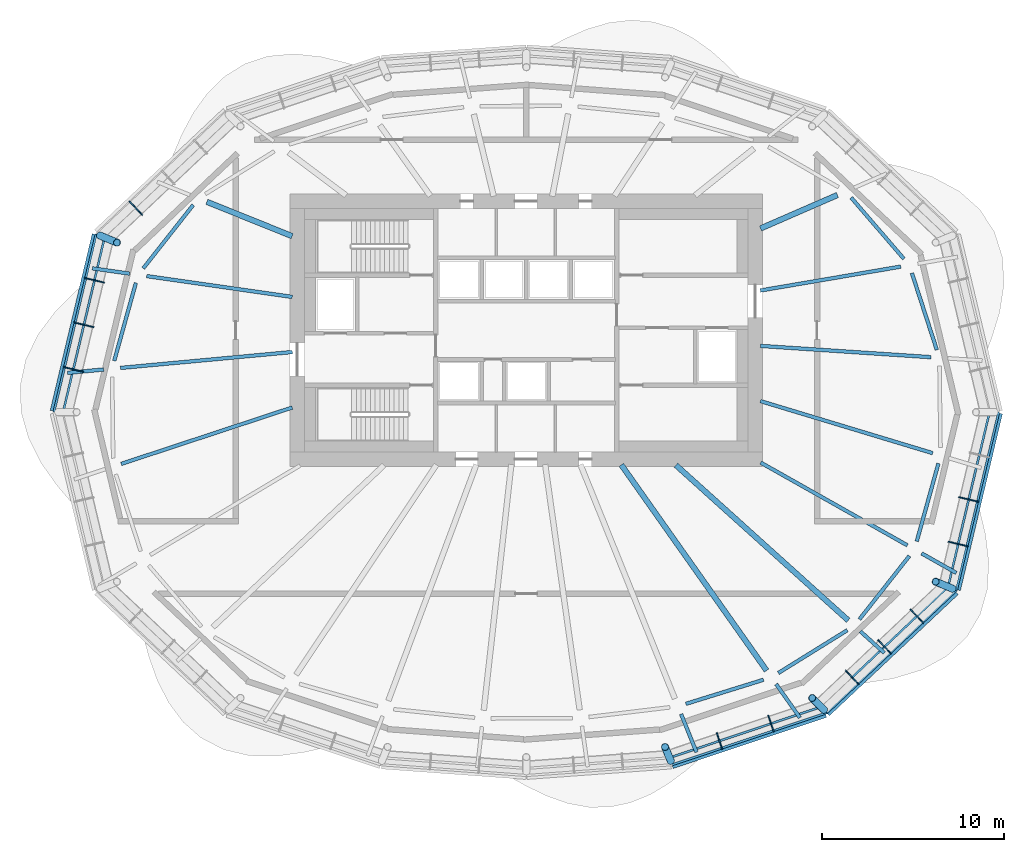
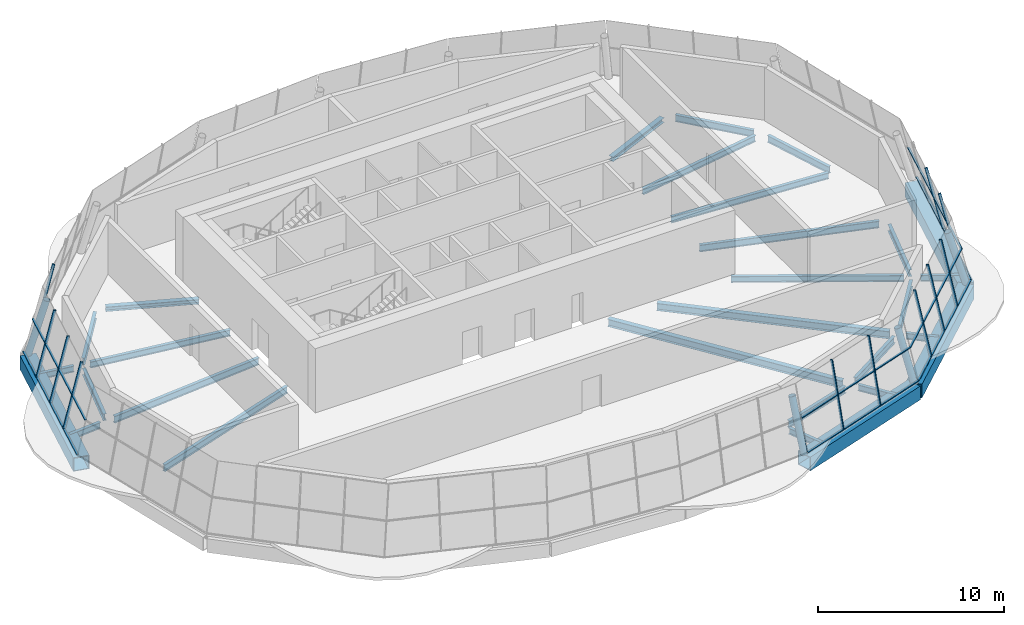
# One storey, part 2 of 9: 29 beams, 23 members, 5 elements without a shape of their own.
"""IFC4 building model written with IfcOpenShell, lengths in metres."""

from ifc_helpers import new_model, si_unit, direction, frame, origin, origin_2d, place, context, subcontext, project, spatial, rectangle, hollow_rectangle, hollow_circle, i_section, extrude, material, material_profile, profile_set, type_object, element, aggregate, save


model = new_model("IFC4")

# Units and contexts
model_context = context("Model", 3, precision=1e-05, world=origin(), true_north=direction((0.0, 1.0)))
body_context = subcontext(model_context, "Body", "Model", "MODEL_VIEW")
ifc_project = project(units=[si_unit("LENGTHUNIT", "METRE"), si_unit("AREAUNIT", "SQUARE_METRE"), si_unit("VOLUMEUNIT", "CUBIC_METRE"), si_unit("PLANEANGLEUNIT", "RADIAN"), si_unit("MASSUNIT", "GRAM", prefix="KILO")], contexts=[model_context])

# Site, building, storey
site_placement = place(None, origin())
site = spatial("IfcSite", under=ifc_project, at=site_placement, CompositionType="ELEMENT")
building_placement = place(site_placement, origin())
building = spatial("IfcBuilding", under=site, at=building_placement, Name="Rubra Terraces Tower", CompositionType="ELEMENT")
storey_placement = place(building_placement, frame((0.0, 0.0, 307.800048828125)))
storey = spatial("IfcBuildingStorey", under=building, at=storey_placement, Name="L76", CompositionType="ELEMENT", Elevation=307.800048828125)

# Beams
ifc_material_1 = material(Name="Steel Q355B", Category="steel")
ifc_material_profile_1 = material_profile(ifc_material_1, i_section(OverallWidth=0.199951171875, OverallDepth=0.39990234375, WebThickness=0.008056640625, FlangeThickness=0.012939453125, at=origin_2d()), Name="HN 400x200x8x13")
ifc_profile_set_1 = profile_set([ifc_material_profile_1], Name="Steel Q355B")
beam_type_1 = type_object("IfcBeamType", Name="CANTILEVER BEAM HN 400x200x8x13", PredefinedType="BEAM", material=ifc_profile_set_1)
beam_1_placement = place(storey_placement, frame((-21.8369140625, 7.62109375, -0.400146484375), z_axis=(-0.989923516417, 0.141603077804, 0.0), x_axis=(-0.141603077804, -0.989923516417, 0.0)))
element("IfcBeam", 1, at=beam_1_placement, inside=storey, type_object=beam_type_1, Name="beam-L76-cant-11", PredefinedType="BEAM", context=body_context, shape_type="SweptSolid", body=[
    extrude(i_section(OverallWidth=0.199951171875, OverallDepth=0.39990234375, WebThickness=0.008056640625, FlangeThickness=0.012939453125, at=origin_2d()), origin(), (0.0, 0.0, 1.0), 2.06884765625),
])
beam_2_placement = place(storey_placement, frame((-23.260986328125, 2.345947265625, -0.400146484375), z_axis=(-0.995768225568, -0.091900168385, 0.0), x_axis=(0.091900168385, -0.995768225568, 0.0)))
element("IfcBeam", 2, at=beam_2_placement, inside=storey, type_object=beam_type_1, Name="beam-L76-cant-12", PredefinedType="BEAM", context=body_context, shape_type="SweptSolid", body=[
    extrude(i_section(OverallWidth=0.199951171875, OverallDepth=0.39990234375, WebThickness=0.008056640625, FlangeThickness=0.012939453125, at=origin_2d()), origin(), (0.0, 0.0, 1.0), 2.00048828125),
])
beam_3_placement = place(storey_placement, frame((8.51806640625, -16.615966796875, -0.400146484375), z_axis=(0.374381060266, -0.92727494397, 0.0), x_axis=(0.92727494397, 0.374381060266, 0.0)))
element("IfcBeam", 3, at=beam_3_placement, inside=storey, type_object=beam_type_1, Name="beam-L76-cant-20", PredefinedType="BEAM", context=body_context, shape_type="SweptSolid", body=[
    extrude(i_section(OverallWidth=0.199951171875, OverallDepth=0.39990234375, WebThickness=0.008056640625, FlangeThickness=0.012939453125, at=origin_2d()), origin(), (0.0, 0.0, 1.0), 2.264892578125),
])
beam_4_placement = place(storey_placement, frame((13.7509765625, -14.969970703125, -0.400146484375), z_axis=(0.577233338788, -0.81657925065, 0.0), x_axis=(0.81657925065, 0.577233338788, 0.0)))
element("IfcBeam", 4, at=beam_4_placement, inside=storey, type_object=beam_type_1, Name="beam-L76-cant-21", PredefinedType="BEAM", context=body_context, shape_type="SweptSolid", body=[
    extrude(i_section(OverallWidth=0.199951171875, OverallDepth=0.39990234375, WebThickness=0.008056640625, FlangeThickness=0.012939453125, at=origin_2d()), origin(), (0.0, 0.0, 1.0), 2.264404296875),
])
beam_5_placement = place(storey_placement, frame((18.386962890625, -12.06591796875, -0.400146484375), z_axis=(0.742841352095, -0.669467494071, 0.0), x_axis=(0.669467494071, 0.742841352095, 0.0)))
element("IfcBeam", 5, at=beam_5_placement, inside=storey, type_object=beam_type_1, Name="beam-L76-cant-22", PredefinedType="BEAM", context=body_context, shape_type="SweptSolid", body=[
    extrude(i_section(OverallWidth=0.199951171875, OverallDepth=0.39990234375, WebThickness=0.008056640625, FlangeThickness=0.012939453125, at=origin_2d()), origin(), (0.0, 0.0, 1.0), 1.770263671875),
])
beam_6_placement = place(storey_placement, frame((21.759033203125, -7.77490234375, -0.400146484375), z_axis=(0.870760315927, -0.491707710135, 0.0), x_axis=(0.491707710135, 0.870760315927, 0.0)))
element("IfcBeam", 6, at=beam_6_placement, inside=storey, type_object=beam_type_1, Name="beam-L76-cant-23", PredefinedType="BEAM", context=body_context, shape_type="SweptSolid", body=[
    extrude(i_section(OverallWidth=0.199951171875, OverallDepth=0.39990234375, WebThickness=0.008056640625, FlangeThickness=0.012939453125, at=origin_2d()), origin(), (0.0, 0.0, 1.0), 2.186767578125),
])

# Members
ifc_material_profile_2 = material_profile(ifc_material_1, hollow_circle(Radius=0.202880859375, WallThickness=0.01611328125, at=origin_2d()), Name="CHS 406x16")
ifc_profile_set_2 = profile_set([ifc_material_profile_2], Name="Steel Q355B")
member_type_1 = type_object("IfcMemberType", Name="CROWN POST CHS 406x16", PredefinedType="POST", material=ifc_profile_set_2)
member_1_placement = place(storey_placement, frame((-23.456787109375, 9.7158203125, -0.199951171875), z_axis=(0.254357897839, -0.10521685782, 0.96136958171), x_axis=(0.382244200362, 0.924061346064, 0.0)))
element("IfcMember", 7, at=member_1_placement, inside=storey, type_object=member_type_1, Name="CROWN POST", PredefinedType="POST", context=body_context, shape_type="SweptSolid", body=[
    extrude(hollow_circle(Radius=0.202880859375, WallThickness=0.01611328125, at=origin_2d()), origin(), (0.0, 0.0, 1.0), 3.640625),
])
member_2_placement = place(storey_placement, frame((7.94775390625, -19.188720703125, -0.199951171875), z_axis=(-0.087331454924, 0.211130243668, 0.973548785213), x_axis=(-0.924067518239, -0.382229279014, 0.0)))
element("IfcMember", 8, at=member_2_placement, inside=storey, type_object=member_type_1, Name="CROWN POST", PredefinedType="POST", context=body_context, shape_type="SweptSolid", body=[
    extrude(hollow_circle(Radius=0.202880859375, WallThickness=0.01611328125, at=origin_2d()), origin(), (0.0, 0.0, 1.0), 3.59521484375),
])
member_3_placement = place(storey_placement, frame((16.379150390625, -16.379150390625, -0.199951171875), z_axis=(-0.178839493723, 0.178839493723, 0.967487917739), x_axis=(-0.707106781187, -0.707106781187, 0.0)))
element("IfcMember", 9, at=member_3_placement, inside=storey, type_object=member_type_1, Name="CROWN POST", PredefinedType="POST", context=body_context, shape_type="SweptSolid", body=[
    extrude(hollow_circle(Radius=0.202880859375, WallThickness=0.01611328125, at=origin_2d()), origin(), (0.0, 0.0, 1.0), 3.61767578125),
])
member_4_placement = place(storey_placement, frame((23.456787109375, -9.7158203125, -0.199951171875), z_axis=(-0.254357897839, 0.10521685782, 0.96136958171), x_axis=(-0.382244200362, -0.924061346064, 0.0)))
element("IfcMember", 10, at=member_4_placement, inside=storey, type_object=member_type_1, Name="CROWN POST", PredefinedType="POST", context=body_context, shape_type="SweptSolid", body=[
    extrude(hollow_circle(Radius=0.202880859375, WallThickness=0.01611328125, at=origin_2d()), origin(), (0.0, 0.0, 1.0), 3.640625),
])

# Beams
ifc_material_profile_3 = material_profile(ifc_material_1, hollow_rectangle(XDim=0.89990234375, YDim=0.89990234375, WallThickness=0.044921875, at=origin_2d()), Name="BOX 900x900x45")
ifc_profile_set_3 = profile_set([ifc_material_profile_3], Name="Steel Q355B")
beam_type_2 = type_object("IfcBeamType", Name="CROWN RING GIRDER BOX 900x900x45", PredefinedType="BEAM", material=ifc_profile_set_3)
beam_7_placement = place(storey_placement, frame((-23.45703125, 9.716064453125, -0.650146484375), z_axis=(-0.231308749283, -0.972880394758, 0.0), x_axis=(0.972880394758, -0.231308749283, 0.0)))
element("IfcBeam", 11, at=beam_7_placement, inside=storey, type_object=beam_type_2, Name="CROWN RING GIRDER", PredefinedType="BEAM", context=body_context, shape_type="SweptSolid", body=[
    extrude(hollow_rectangle(XDim=0.89990234375, YDim=0.89990234375, WallThickness=0.044921875, at=origin_2d()), origin(), (0.0, 0.0, 1.0), 9.98681640625),
])
beam_8_placement = place(storey_placement, frame((7.947998046875, -19.18896484375, -0.650146484375), z_axis=(0.948691539337, 0.316203041084, 0.0), x_axis=(-0.316203041084, 0.948691539337, 0.0)))
element("IfcBeam", 12, at=beam_8_placement, inside=storey, type_object=beam_type_2, Name="CROWN RING GIRDER", PredefinedType="BEAM", context=body_context, shape_type="SweptSolid", body=[
    extrude(hollow_rectangle(XDim=0.89990234375, YDim=0.89990234375, WallThickness=0.044921875, at=origin_2d()), origin(), (0.0, 0.0, 1.0), 8.886962890625),
])
beam_9_placement = place(storey_placement, frame((16.37890625, -16.37890625, -0.650146484375), z_axis=(0.728144690434, 0.685423452905, 0.0), x_axis=(-0.685423452905, 0.728144690434, 0.0)))
element("IfcBeam", 13, at=beam_9_placement, inside=storey, type_object=beam_type_2, Name="CROWN RING GIRDER", PredefinedType="BEAM", context=body_context, shape_type="SweptSolid", body=[
    extrude(hollow_rectangle(XDim=0.89990234375, YDim=0.89990234375, WallThickness=0.044921875, at=origin_2d()), origin(), (0.0, 0.0, 1.0), 9.720703125),
])
beam_10_placement = place(storey_placement, frame((23.45703125, -9.716064453125, -0.650146484375), z_axis=(0.231308749283, 0.972880394758, 0.0), x_axis=(-0.972880394758, 0.231308749283, 0.0)))
element("IfcBeam", 14, at=beam_10_placement, inside=storey, type_object=beam_type_2, Name="CROWN RING GIRDER", PredefinedType="BEAM", context=body_context, shape_type="SweptSolid", body=[
    extrude(hollow_rectangle(XDim=0.89990234375, YDim=0.89990234375, WallThickness=0.044921875, at=origin_2d()), origin(), (0.0, 0.0, 1.0), 9.98681640625),
])

# Curtain wall, member
ifc_material_2 = material(Name="Aluminium and glass", Category="aluminium")
curtain_wall_type = type_object("IfcCurtainWallType", Name="Curtain wall Crown glazing", PredefinedType="NOTDEFINED", material=ifc_material_2)
curtain_wall_1_placement = place(storey_placement, origin())
curtain_wall_1 = element("IfcCurtainWall", 15, at=curtain_wall_1_placement, inside=storey, type_object=curtain_wall_type, Name="Crown glazing L76 facet 7", PredefinedType="NOTDEFINED")
ifc_material_3 = material(Name="Aluminium, anodised dark grey", Category="aluminium")
ifc_material_profile_4 = material_profile(ifc_material_3, rectangle(XDim=0.06005859375, YDim=0.159912109375, at=origin_2d()), Name="AL 60x160")
ifc_profile_set_4 = profile_set([ifc_material_profile_4], Name="Aluminium, anodised dark grey")
member_type_2 = type_object("IfcMemberType", Name="Crown glazing mullion 60 x 160", PredefinedType="MULLION", material=ifc_profile_set_4)
member_5_placement = place(storey_placement, frame((-21.810791015625, 11.564453125, 0.0), z_axis=(0.146142986341, -0.154605988659, 0.977107576377), x_axis=(0.726716925474, 0.686937049685, 0.0)))
member_5 = element("IfcMember", 16, at=member_5_placement, type_object=member_type_2, Name="Crown glazing L76 facet 7 mullion 3", PredefinedType="MULLION", context=body_context, shape_type="SweptSolid", body=[
    extrude(rectangle(XDim=0.06005859375, YDim=0.159912109375, at=origin_2d()), origin(), (0.0, 0.0, 1.0), 4.29833984375),
])
aggregate(curtain_wall_1, [member_5])

# Curtain wall, members
curtain_wall_2_placement = place(storey_placement, origin())
curtain_wall_2 = element("IfcCurtainWall", 17, at=curtain_wall_2_placement, inside=storey, type_object=curtain_wall_type, Name="Crown glazing L76 facet 8", PredefinedType="NOTDEFINED")
member_6_placement = place(storey_placement, frame((-24.24951171875, 7.372314453125, 0.0), z_axis=(0.223097402473, -0.052959464549, 0.973356483579), x_axis=(0.230964397981, 0.972962202177, 0.0)))
member_6 = element("IfcMember", 18, at=member_6_placement, type_object=member_type_2, Name="Crown glazing L76 facet 8 mullion 1", PredefinedType="MULLION", context=body_context, shape_type="SweptSolid", body=[
    extrude(rectangle(XDim=0.06005859375, YDim=0.159912109375, at=origin_2d()), origin(), (0.0, 0.0, 1.0), 4.31494140625),
])
member_7_placement = place(storey_placement, frame((-24.83154296875, 4.9208984375, 0.0), z_axis=(0.223097402473, -0.052959464549, 0.973356483579), x_axis=(0.230964397981, 0.972962202177, 0.0)))
member_7 = element("IfcMember", 19, at=member_7_placement, type_object=member_type_2, Name="Crown glazing L76 facet 8 mullion 2", PredefinedType="MULLION", context=body_context, shape_type="SweptSolid", body=[
    extrude(rectangle(XDim=0.06005859375, YDim=0.159912109375, at=origin_2d()), origin(), (0.0, 0.0, 1.0), 4.31494140625),
])
member_8_placement = place(storey_placement, frame((-25.41357421875, 2.4697265625, 0.0), z_axis=(0.223097402473, -0.052959464549, 0.973356483579), x_axis=(0.230964397981, 0.972962202177, 0.0)))
member_8 = element("IfcMember", 20, at=member_8_placement, type_object=member_type_2, Name="Crown glazing L76 facet 8 mullion 3", PredefinedType="MULLION", context=body_context, shape_type="SweptSolid", body=[
    extrude(rectangle(XDim=0.06005859375, YDim=0.159912109375, at=origin_2d()), origin(), (0.0, 0.0, 1.0), 4.31494140625),
])

curtain_wall_3_placement = place(storey_placement, origin())
curtain_wall_3 = element("IfcCurtainWall", 21, at=curtain_wall_3_placement, inside=storey, type_object=curtain_wall_type, Name="Crown glazing L76 facet 14", PredefinedType="NOTDEFINED")
member_9_placement = place(storey_placement, frame((10.762939453125, -18.487548828125, 0.0), z_axis=(-0.061046928569, 0.181543295987, 0.981486273055), x_axis=(-0.947845941516, -0.318728836399, 0.0)))
member_9 = element("IfcMember", 22, at=member_9_placement, type_object=member_type_2, Name="Crown glazing L76 facet 14 mullion 1", PredefinedType="MULLION", context=body_context, shape_type="SweptSolid", body=[
    extrude(rectangle(XDim=0.06005859375, YDim=0.159912109375, at=origin_2d()), origin(), (0.0, 0.0, 1.0), 4.279052734375),
])
member_10_placement = place(storey_placement, frame((13.5986328125, -17.5341796875, 0.0), z_axis=(-0.061047560781, 0.181488122283, 0.981496437484), x_axis=(-0.947815667903, -0.318818850882, 0.0)))
member_10 = element("IfcMember", 23, at=member_10_placement, type_object=member_type_2, Name="Crown glazing L76 facet 14 mullion 2", PredefinedType="MULLION", context=body_context, shape_type="SweptSolid", body=[
    extrude(rectangle(XDim=0.06005859375, YDim=0.159912109375, at=origin_2d()), origin(), (0.0, 0.0, 1.0), 4.279052734375),
])

curtain_wall_4_placement = place(storey_placement, origin())
curtain_wall_4 = element("IfcCurtainWall", 24, at=curtain_wall_4_placement, inside=storey, type_object=curtain_wall_type, Name="Crown glazing L76 facet 15", PredefinedType="NOTDEFINED")
member_11_placement = place(storey_placement, frame((18.246826171875, -14.93408203125, 0.0), z_axis=(-0.146142986341, 0.154605988659, 0.977107576377), x_axis=(-0.726716925474, -0.686937049685, 0.0)))
member_11 = element("IfcMember", 25, at=member_11_placement, type_object=member_type_2, Name="Crown glazing L76 facet 15 mullion 1", PredefinedType="MULLION", context=body_context, shape_type="SweptSolid", body=[
    extrude(rectangle(XDim=0.06005859375, YDim=0.159912109375, at=origin_2d()), origin(), (0.0, 0.0, 1.0), 4.29833984375),
])
member_12_placement = place(storey_placement, frame((20.02880859375, -13.249267578125, 0.0), z_axis=(-0.146142986341, 0.154605988659, 0.977107576377), x_axis=(-0.726716925474, -0.686937049685, 0.0)))
member_12 = element("IfcMember", 26, at=member_12_placement, type_object=member_type_2, Name="Crown glazing L76 facet 15 mullion 2", PredefinedType="MULLION", context=body_context, shape_type="SweptSolid", body=[
    extrude(rectangle(XDim=0.06005859375, YDim=0.159912109375, at=origin_2d()), origin(), (0.0, 0.0, 1.0), 4.29833984375),
])
member_13_placement = place(storey_placement, frame((21.810791015625, -11.564453125, 0.0), z_axis=(-0.146142986341, 0.154605988659, 0.977107576377), x_axis=(-0.726716925474, -0.686937049685, 0.0)))
member_13 = element("IfcMember", 27, at=member_13_placement, type_object=member_type_2, Name="Crown glazing L76 facet 15 mullion 3", PredefinedType="MULLION", context=body_context, shape_type="SweptSolid", body=[
    extrude(rectangle(XDim=0.06005859375, YDim=0.159912109375, at=origin_2d()), origin(), (0.0, 0.0, 1.0), 4.29833984375),
])

curtain_wall_5_placement = place(storey_placement, origin())
curtain_wall_5 = element("IfcCurtainWall", 28, at=curtain_wall_5_placement, inside=storey, type_object=curtain_wall_type, Name="Crown glazing L76 facet 16", PredefinedType="NOTDEFINED")
member_14_placement = place(storey_placement, frame((24.24951171875, -7.372314453125, 0.0), z_axis=(-0.223097402473, 0.052959464549, 0.973356483579), x_axis=(-0.230964397981, -0.972962202177, 0.0)))
member_14 = element("IfcMember", 29, at=member_14_placement, type_object=member_type_2, Name="Crown glazing L76 facet 16 mullion 1", PredefinedType="MULLION", context=body_context, shape_type="SweptSolid", body=[
    extrude(rectangle(XDim=0.06005859375, YDim=0.159912109375, at=origin_2d()), origin(), (0.0, 0.0, 1.0), 4.31494140625),
])
member_15_placement = place(storey_placement, frame((24.83154296875, -4.9208984375, 0.0), z_axis=(-0.223097402473, 0.052959464549, 0.973356483579), x_axis=(-0.230964397981, -0.972962202177, 0.0)))
member_15 = element("IfcMember", 30, at=member_15_placement, type_object=member_type_2, Name="Crown glazing L76 facet 16 mullion 2", PredefinedType="MULLION", context=body_context, shape_type="SweptSolid", body=[
    extrude(rectangle(XDim=0.06005859375, YDim=0.159912109375, at=origin_2d()), origin(), (0.0, 0.0, 1.0), 4.31494140625),
])

# Member
ifc_material_profile_5 = material_profile(ifc_material_3, rectangle(XDim=0.1201171875, YDim=0.06005859375, at=origin_2d()), Name="AL 120x60")
ifc_profile_set_5 = profile_set([ifc_material_profile_5], Name="Aluminium, anodised dark grey")
member_type_3 = type_object("IfcMemberType", Name="Crown glazing transom 120 x 60", PredefinedType="USERDEFINED", material=ifc_profile_set_5)
member_16_placement = place(storey_placement, frame((-23.672119140625, 9.804931640625, 0.0), z_axis=(-0.230998185213, -0.972954181053, 0.0), x_axis=(0.972954181053, -0.230998185213, 0.0)))
member_16 = element("IfcMember", 31, at=member_16_placement, type_object=member_type_3, Name="Crown glazing L76 facet 8 transom 1", ObjectType="TRANSOM", PredefinedType="USERDEFINED", context=body_context, shape_type="SweptSolid", body=[
    extrude(rectangle(XDim=0.1201171875, YDim=0.06005859375, at=origin_2d()), origin(), (0.0, 0.0, 1.0), 10.077392578125),
])

member_17_placement = place(storey_placement, frame((-23.208984375, 9.613525390625, 2.099853515625), z_axis=(-0.231001384979, -0.972953421361, 0.0), x_axis=(0.972953421361, -0.231001384979, 0.0)))
member_17 = element("IfcMember", 32, at=member_17_placement, type_object=member_type_3, Name="Crown glazing L76 facet 8 transom 2", ObjectType="TRANSOM", PredefinedType="USERDEFINED", context=body_context, shape_type="SweptSolid", body=[
    extrude(rectangle(XDim=0.1201171875, YDim=0.06005859375, at=origin_2d()), origin(), (0.0, 0.0, 1.0), 9.880859375),
])

aggregate(curtain_wall_2, [member_6, member_7, member_8, member_16, member_17])

member_18_placement = place(storey_placement, frame((8.037109375, -19.404052734375, 0.0), z_axis=(0.947861307541, 0.318683136777, 0.0), x_axis=(-0.318683136777, 0.947861307541, 0.0)))
member_18 = element("IfcMember", 33, at=member_18_placement, type_object=member_type_3, Name="Crown glazing L76 facet 14 transom 1", ObjectType="TRANSOM", PredefinedType="USERDEFINED", context=body_context, shape_type="SweptSolid", body=[
    extrude(rectangle(XDim=0.1201171875, YDim=0.06005859375, at=origin_2d()), origin(), (0.0, 0.0, 1.0), 8.974853515625),
])

member_19_placement = place(storey_placement, frame((7.8798828125, -19.0244140625, 2.099853515625), z_axis=(0.947870015564, 0.318657235277, 0.0), x_axis=(-0.318657235277, 0.947870015564, 0.0)))
member_19 = element("IfcMember", 34, at=member_19_placement, type_object=member_type_3, Name="Crown glazing L76 facet 14 transom 2", ObjectType="TRANSOM", PredefinedType="USERDEFINED", context=body_context, shape_type="SweptSolid", body=[
    extrude(rectangle(XDim=0.1201171875, YDim=0.06005859375, at=origin_2d()), origin(), (0.0, 0.0, 1.0), 8.79931640625),
])

aggregate(curtain_wall_3, [member_9, member_10, member_18, member_19])

member_20_placement = place(storey_placement, frame((16.5439453125, -16.5439453125, 0.0), z_axis=(0.726664500486, 0.686992506316, 0.0), x_axis=(-0.686992506316, 0.726664500486, 0.0)))
member_20 = element("IfcMember", 35, at=member_20_placement, type_object=member_type_3, Name="Crown glazing L76 facet 15 transom 1", ObjectType="TRANSOM", PredefinedType="USERDEFINED", context=body_context, shape_type="SweptSolid", body=[
    extrude(rectangle(XDim=0.1201171875, YDim=0.06005859375, at=origin_2d()), origin(), (0.0, 0.0, 1.0), 9.809326171875),
])

member_21_placement = place(storey_placement, frame((16.220458984375, -16.220458984375, 2.099853515625), z_axis=(0.726667391674, 0.686989448156, 0.0), x_axis=(-0.686989448156, 0.726667391674, 0.0)))
member_21 = element("IfcMember", 36, at=member_21_placement, type_object=member_type_3, Name="Crown glazing L76 facet 15 transom 2", ObjectType="TRANSOM", PredefinedType="USERDEFINED", context=body_context, shape_type="SweptSolid", body=[
    extrude(rectangle(XDim=0.1201171875, YDim=0.06005859375, at=origin_2d()), origin(), (0.0, 0.0, 1.0), 9.6171875),
])

aggregate(curtain_wall_4, [member_11, member_12, member_13, member_20, member_21])

member_22_placement = place(storey_placement, frame((23.672119140625, -9.804931640625, 0.0), z_axis=(0.230998185213, 0.972954181053, 0.0), x_axis=(-0.972954181053, 0.230998185213, 0.0)))
member_22 = element("IfcMember", 37, at=member_22_placement, type_object=member_type_3, Name="Crown glazing L76 facet 16 transom 1", ObjectType="TRANSOM", PredefinedType="USERDEFINED", context=body_context, shape_type="SweptSolid", body=[
    extrude(rectangle(XDim=0.1201171875, YDim=0.06005859375, at=origin_2d()), origin(), (0.0, 0.0, 1.0), 10.077392578125),
])

member_23_placement = place(storey_placement, frame((23.208984375, -9.613525390625, 2.099853515625), z_axis=(0.231001384979, 0.972953421361, 0.0), x_axis=(-0.972953421361, 0.231001384979, 0.0)))
member_23 = element("IfcMember", 38, at=member_23_placement, type_object=member_type_3, Name="Crown glazing L76 facet 16 transom 2", ObjectType="TRANSOM", PredefinedType="USERDEFINED", context=body_context, shape_type="SweptSolid", body=[
    extrude(rectangle(XDim=0.1201171875, YDim=0.06005859375, at=origin_2d()), origin(), (0.0, 0.0, 1.0), 9.880859375),
])

aggregate(curtain_wall_5, [member_14, member_15, member_22, member_23])

# Beams
ifc_material_profile_6 = material_profile(ifc_material_1, i_section(OverallWidth=0.300048828125, OverallDepth=0.48193359375, WebThickness=0.010986328125, FlangeThickness=0.014892578125, at=origin_2d()), Name="HM 482x300x11x15")
ifc_profile_set_6 = profile_set([ifc_material_profile_6], Name="Steel Q355B")
beam_type_3 = type_object("IfcBeamType", Name="FLOOR BEAM HM 482x300x11x15", PredefinedType="BEAM", material=ifc_profile_set_6)
beam_11_placement = place(storey_placement, frame((13.222900390625, -14.221923828125, -0.441162109375), z_axis=(-0.576895514811, 0.816817950948, 0.0), x_axis=(-0.816817950948, -0.576895514811, 0.0)))
element("IfcBeam", 39, at=beam_11_placement, inside=storey, type_object=beam_type_3, Name="beam-L76-floor-21", PredefinedType="BEAM", context=body_context, shape_type="SweptSolid", body=[
    extrude(i_section(OverallWidth=0.300048828125, OverallDepth=0.48193359375, WebThickness=0.010986328125, FlangeThickness=0.014892578125, at=origin_2d()), origin(), (0.0, 0.0, 1.0), 13.8583984375),
])
beam_12_placement = place(storey_placement, frame((17.715087890625, -11.4599609375, -0.441162109375), z_axis=(-0.742980094736, 0.669313513105, 0.0), x_axis=(-0.669313513105, -0.742980094736, 0.0)))
element("IfcBeam", 40, at=beam_12_placement, inside=storey, type_object=beam_type_3, Name="beam-L76-floor-22", PredefinedType="BEAM", context=body_context, shape_type="SweptSolid", body=[
    extrude(i_section(OverallWidth=0.300048828125, OverallDepth=0.48193359375, WebThickness=0.010986328125, FlangeThickness=0.014892578125, at=origin_2d()), origin(), (0.0, 0.0, 1.0), 12.759521484375),
])
ifc_material_profile_7 = material_profile(ifc_material_1, i_section(OverallWidth=0.199951171875, OverallDepth=0.39990234375, WebThickness=0.008056640625, FlangeThickness=0.012939453125, at=origin_2d()), Name="HN 400x200x8x13")
ifc_profile_set_7 = profile_set([ifc_material_profile_7], Name="Steel Q355B")
beam_type_4 = type_object("IfcBeamType", Name="FLOOR BEAM HN 400x200x8x13", PredefinedType="BEAM", material=ifc_profile_set_7)
beam_13_placement = place(storey_placement, frame((22.27294921875, 3.02392578125, -0.400146484375), z_axis=(-0.997814209988, 0.066081785285, 0.0), x_axis=(-0.066081785285, -0.997814209988, 0.0)))
element("IfcBeam", 41, at=beam_13_placement, inside=storey, type_object=beam_type_4, Name="beam-L76-floor-01", PredefinedType="BEAM", context=body_context, shape_type="SweptSolid", body=[
    extrude(i_section(OverallWidth=0.199951171875, OverallDepth=0.39990234375, WebThickness=0.008056640625, FlangeThickness=0.012939453125, at=origin_2d()), origin(), (0.0, 0.0, 1.0), 9.41357421875),
])
beam_14_placement = place(storey_placement, frame((20.610107421875, 8.010009765625, -0.400146484375), z_axis=(-0.985810425856, -0.167862456415, 0.0), x_axis=(0.167862456415, -0.985810425856, 0.0)))
element("IfcBeam", 42, at=beam_14_placement, inside=storey, type_object=beam_type_4, Name="beam-L76-floor-02", PredefinedType="BEAM", context=body_context, shape_type="SweptSolid", body=[
    extrude(i_section(OverallWidth=0.199951171875, OverallDepth=0.39990234375, WebThickness=0.008056640625, FlangeThickness=0.012939453125, at=origin_2d()), origin(), (0.0, 0.0, 1.0), 7.83935546875),
])
beam_15_placement = place(storey_placement, frame((-20.89697265625, 7.487060546875, -0.400146484375), z_axis=(0.98993441274, -0.141526882509, 0.0), x_axis=(0.141526882509, 0.98993441274, 0.0)))
element("IfcBeam", 43, at=beam_15_placement, inside=storey, type_object=beam_type_4, Name="beam-L76-floor-11", PredefinedType="BEAM", context=body_context, shape_type="SweptSolid", body=[
    extrude(i_section(OverallWidth=0.199951171875, OverallDepth=0.39990234375, WebThickness=0.008056640625, FlangeThickness=0.012939453125, at=origin_2d()), origin(), (0.0, 0.0, 1.0), 8.097412109375),
])
beam_16_placement = place(storey_placement, frame((20.97509765625, -7.3330078125, -0.400146484375), z_axis=(-0.870973270007, 0.491330400986, 0.0), x_axis=(-0.491330400986, -0.870973270007, 0.0)))
element("IfcBeam", 44, at=beam_16_placement, inside=storey, type_object=beam_type_4, Name="beam-L76-floor-23", PredefinedType="BEAM", context=body_context, shape_type="SweptSolid", body=[
    extrude(i_section(OverallWidth=0.199951171875, OverallDepth=0.39990234375, WebThickness=0.008056640625, FlangeThickness=0.012939453125, at=origin_2d()), origin(), (0.0, 0.0, 1.0), 9.277099609375),
])
ifc_material_profile_8 = material_profile(ifc_material_1, i_section(OverallWidth=0.198974609375, OverallDepth=0.446044921875, WebThickness=0.008056640625, FlangeThickness=0.011962890625, at=origin_2d()), Name="HN 446x199x8x12")
ifc_profile_set_8 = profile_set([ifc_material_profile_8], Name="Steel Q355B")
beam_type_5 = type_object("IfcBeamType", Name="FLOOR BEAM HN 446x199x8x12", PredefinedType="BEAM", material=ifc_profile_set_8)
beam_17_placement = place(storey_placement, frame((-22.343017578125, 2.431884765625, -0.423095703125), z_axis=(0.995739538303, 0.092210475874, 0.0), x_axis=(-0.092210475874, 0.995739538303, 0.0)))
element("IfcBeam", 45, at=beam_17_placement, inside=storey, type_object=beam_type_5, Name="beam-L76-floor-12", PredefinedType="BEAM", context=body_context, shape_type="SweptSolid", body=[
    extrude(i_section(OverallWidth=0.198974609375, OverallDepth=0.446044921875, WebThickness=0.008056640625, FlangeThickness=0.011962890625, at=origin_2d()), origin(), (0.0, 0.0, 1.0), 9.50244140625),
])
beam_18_placement = place(storey_placement, frame((-22.301025390625, -2.85009765625, -0.423095703125), z_axis=(0.949746725795, 0.313019419273, 0.0), x_axis=(-0.313019419273, 0.949746725795, 0.0)))
element("IfcBeam", 46, at=beam_18_placement, inside=storey, type_object=beam_type_5, Name="beam-L76-floor-13", PredefinedType="BEAM", context=body_context, shape_type="SweptSolid", body=[
    extrude(i_section(OverallWidth=0.198974609375, OverallDepth=0.446044921875, WebThickness=0.008056640625, FlangeThickness=0.011962890625, at=origin_2d()), origin(), (0.0, 0.0, 1.0), 9.913330078125),
])
beam_19_placement = place(storey_placement, frame((22.364990234375, -2.257080078125, -0.423095703125), z_axis=(-0.957268105474, 0.289201960992, 0.0), x_axis=(-0.289201960992, -0.957268105474, 0.0)))
element("IfcBeam", 47, at=beam_19_placement, inside=storey, type_object=beam_type_5, Name="beam-L76-floor-24", PredefinedType="BEAM", context=body_context, shape_type="SweptSolid", body=[
    extrude(i_section(OverallWidth=0.198974609375, OverallDepth=0.446044921875, WebThickness=0.008056640625, FlangeThickness=0.011962890625, at=origin_2d()), origin(), (0.0, 0.0, 1.0), 9.903076171875),
])
ifc_material_profile_9 = material_profile(ifc_material_1, i_section(OverallWidth=0.304931640625, OverallDepth=0.300048828125, WebThickness=0.014892578125, FlangeThickness=0.014892578125, at=origin_2d()), Name="HW 300x305x15x15")
ifc_profile_set_9 = profile_set([ifc_material_profile_9], Name="Steel Q355B")
beam_type_6 = type_object("IfcBeamType", Name="FLOOR BEAM HW 300x305x15x15", PredefinedType="BEAM", material=ifc_profile_set_9)
beam_20_placement = place(storey_placement, frame((17.12109375, 11.949951171875, -0.35009765625), z_axis=(-0.916958146743, -0.398983404569, 0.0), x_axis=(0.398983404569, -0.916958146743, 0.0)))
element("IfcBeam", 48, at=beam_20_placement, inside=storey, type_object=beam_type_6, Name="beam-L76-floor-03", PredefinedType="BEAM", context=body_context, shape_type="SweptSolid", body=[
    extrude(i_section(OverallWidth=0.304931640625, OverallDepth=0.300048828125, WebThickness=0.014892578125, FlangeThickness=0.014892578125, at=origin_2d()), origin(), (0.0, 0.0, 1.0), 4.614501953125),
])
beam_21_placement = place(storey_placement, frame((-17.5849609375, 11.575927734375, -0.35009765625), z_axis=(0.927692985207, -0.373343977047, 0.0), x_axis=(0.373343977047, 0.927692985207, 0.0)))
element("IfcBeam", 49, at=beam_21_placement, inside=storey, type_object=beam_type_6, Name="beam-L76-floor-10", PredefinedType="BEAM", context=body_context, shape_type="SweptSolid", body=[
    extrude(i_section(OverallWidth=0.304931640625, OverallDepth=0.300048828125, WebThickness=0.014892578125, FlangeThickness=0.014892578125, at=origin_2d()), origin(), (0.0, 0.0, 1.0), 5.06201171875),
])
ifc_material_profile_10 = material_profile(ifc_material_1, i_section(OverallWidth=0.198974609375, OverallDepth=0.446044921875, WebThickness=0.008056640625, FlangeThickness=0.011962890625, at=origin_2d()), Name="HN 446x199x8x12")
ifc_profile_set_10 = profile_set([ifc_material_profile_10], Name="Steel Q355B")
beam_type_7 = type_object("IfcBeamType", Name="SPANDREL BEAM HN 446x199x8x12", PredefinedType="SPANDREL", material=ifc_profile_set_10)
beam_22_placement = place(storey_placement, frame((22.593994140625, 3.426025390625, -0.423095703125), z_axis=(-0.308536942246, 0.951212360764, 0.0), x_axis=(-0.951212360764, -0.308536942246, 0.0)))
element("IfcBeam", 50, at=beam_22_placement, inside=storey, type_object=beam_type_7, Name="beam-L76-spandrel-01", PredefinedType="SPANDREL", context=body_context, shape_type="SweptSolid", body=[
    extrude(i_section(OverallWidth=0.198974609375, OverallDepth=0.446044921875, WebThickness=0.008056640625, FlangeThickness=0.011962890625, at=origin_2d()), origin(), (0.0, 0.0, 1.0), 4.44384765625),
])
beam_23_placement = place(storey_placement, frame((20.781005859375, 8.43798828125, -0.423095703125), z_axis=(-0.652473175209, 0.757811820726, 0.0), x_axis=(-0.757811820726, -0.652473175209, 0.0)))
element("IfcBeam", 51, at=beam_23_placement, inside=storey, type_object=beam_type_7, Name="beam-L76-spandrel-02", PredefinedType="SPANDREL", context=body_context, shape_type="SweptSolid", body=[
    extrude(i_section(OverallWidth=0.198974609375, OverallDepth=0.446044921875, WebThickness=0.008056640625, FlangeThickness=0.011962890625, at=origin_2d()), origin(), (0.0, 0.0, 1.0), 4.44287109375),
])
beam_24_placement = place(storey_placement, frame((-18.333984375, 11.404052734375, -0.423095703125), z_axis=(-0.61888661349, -0.785480336891, 0.0), x_axis=(0.785480336891, -0.61888661349, 0.0)))
element("IfcBeam", 52, at=beam_24_placement, inside=storey, type_object=beam_type_7, Name="beam-L76-spandrel-10", PredefinedType="SPANDREL", context=body_context, shape_type="SweptSolid", body=[
    extrude(i_section(OverallWidth=0.198974609375, OverallDepth=0.446044921875, WebThickness=0.008056640625, FlangeThickness=0.011962890625, at=origin_2d()), origin(), (0.0, 0.0, 1.0), 4.44189453125),
])
beam_25_placement = place(storey_placement, frame((-21.489990234375, 7.112060546875, -0.423095703125), z_axis=(-0.267564585696, -0.963539927809, 0.0), x_axis=(0.963539927809, -0.267564585696, 0.0)))
element("IfcBeam", 53, at=beam_25_placement, inside=storey, type_object=beam_type_7, Name="beam-L76-spandrel-11", PredefinedType="SPANDREL", context=body_context, shape_type="SweptSolid", body=[
    extrude(i_section(OverallWidth=0.198974609375, OverallDepth=0.446044921875, WebThickness=0.008056640625, FlangeThickness=0.011962890625, at=origin_2d()), origin(), (0.0, 0.0, 1.0), 4.447265625),
])
beam_26_placement = place(storey_placement, frame((8.779052734375, -16.05810546875, -0.423095703125), z_axis=(0.955035382264, 0.296491852541, 0.0), x_axis=(-0.296491852541, 0.955035382264, 0.0)))
element("IfcBeam", 54, at=beam_26_placement, inside=storey, type_object=beam_type_7, Name="beam-L76-spandrel-20", PredefinedType="SPANDREL", context=body_context, shape_type="SweptSolid", body=[
    extrude(i_section(OverallWidth=0.198974609375, OverallDepth=0.446044921875, WebThickness=0.008056640625, FlangeThickness=0.011962890625, at=origin_2d()), origin(), (0.0, 0.0, 1.0), 4.47607421875),
])
beam_27_placement = place(storey_placement, frame((13.8720703125, -14.35693359375, -0.423095703125), z_axis=(0.849641857012, 0.527360137679, 0.0), x_axis=(-0.527360137679, 0.849641857012, 0.0)))
element("IfcBeam", 55, at=beam_27_placement, inside=storey, type_object=beam_type_7, Name="beam-L76-spandrel-21", PredefinedType="SPANDREL", context=body_context, shape_type="SweptSolid", body=[
    extrude(i_section(OverallWidth=0.198974609375, OverallDepth=0.446044921875, WebThickness=0.008056640625, FlangeThickness=0.011962890625, at=origin_2d()), origin(), (0.0, 0.0, 1.0), 4.4619140625),
])
beam_28_placement = place(storey_placement, frame((18.333984375, -11.404052734375, -0.423095703125), z_axis=(0.61888661349, 0.785480336891, 0.0), x_axis=(-0.785480336891, 0.61888661349, 0.0)))
element("IfcBeam", 56, at=beam_28_placement, inside=storey, type_object=beam_type_7, Name="beam-L76-spandrel-22", PredefinedType="SPANDREL", context=body_context, shape_type="SweptSolid", body=[
    extrude(i_section(OverallWidth=0.198974609375, OverallDepth=0.446044921875, WebThickness=0.008056640625, FlangeThickness=0.011962890625, at=origin_2d()), origin(), (0.0, 0.0, 1.0), 4.44189453125),
])
beam_29_placement = place(storey_placement, frame((21.489990234375, -7.112060546875, -0.423095703125), z_axis=(0.267564585696, 0.963539927809, 0.0), x_axis=(-0.963539927809, 0.267564585696, 0.0)))
element("IfcBeam", 57, at=beam_29_placement, inside=storey, type_object=beam_type_7, Name="beam-L76-spandrel-23", PredefinedType="SPANDREL", context=body_context, shape_type="SweptSolid", body=[
    extrude(i_section(OverallWidth=0.198974609375, OverallDepth=0.446044921875, WebThickness=0.008056640625, FlangeThickness=0.011962890625, at=origin_2d()), origin(), (0.0, 0.0, 1.0), 4.447265625),
])

save(model, "model.ifc")
